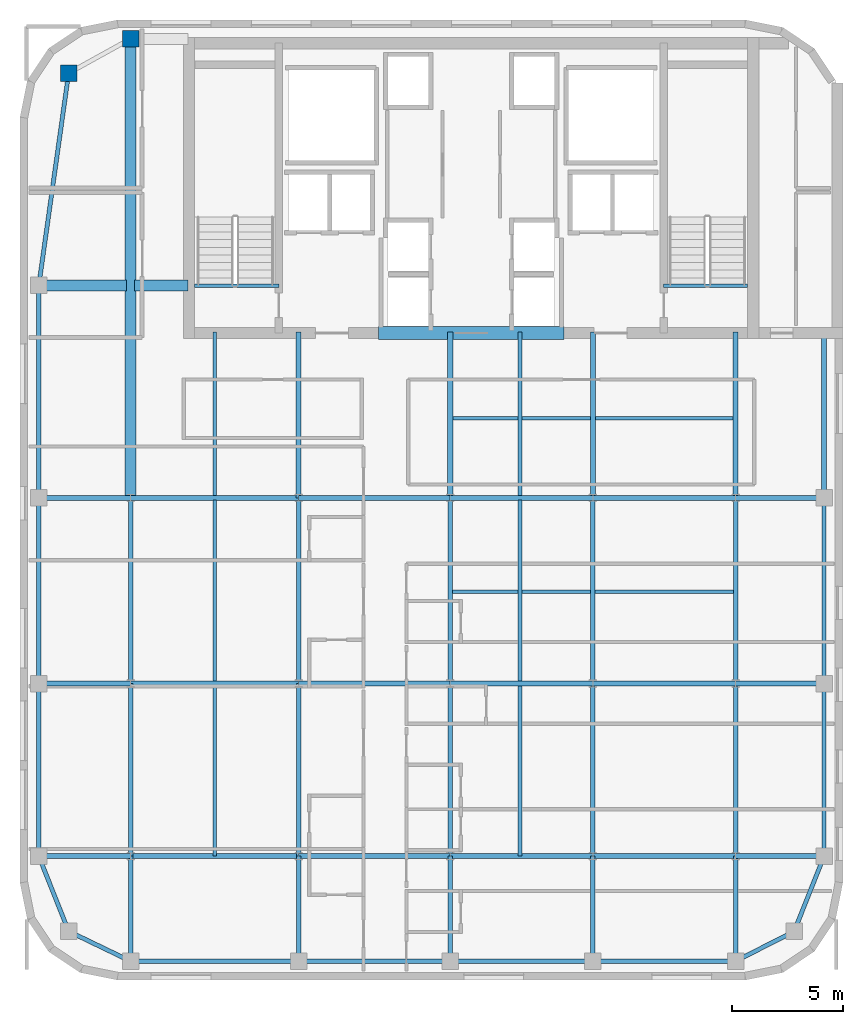
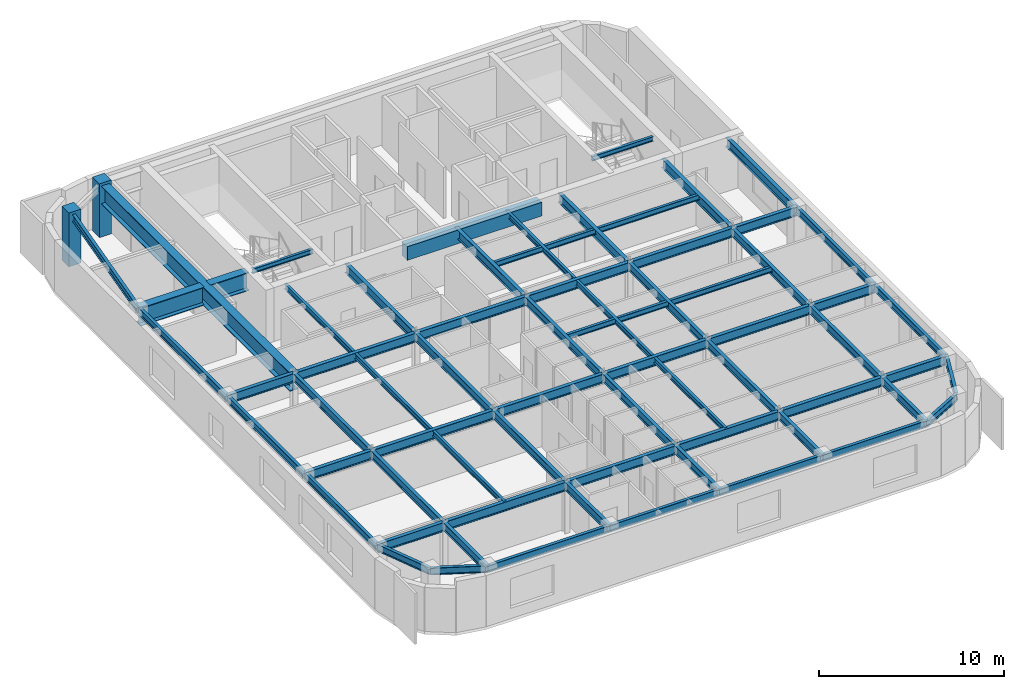
# One storey, part 2 of 9: 66 beams, 2 columns.
"""IFC4 building model written with IfcOpenShell, lengths in metres."""

from ifc_helpers import new_model, si_unit, direction, frame, origin, origin_2d, place, context, subcontext, project, spatial, rectangle, i_section, extrude, source, transform, mapped, material, material_profile, profile_set, type_object, type_shapes, element, save


model = new_model("IFC4")

# Units and contexts
model_context = context("Model", 3, precision=1e-05, world=origin(), true_north=direction((0.0, 1.0)))
body_context = subcontext(model_context, "Body", "Model", "MODEL_VIEW")
ifc_project = project(units=[si_unit("LENGTHUNIT", "METRE"), si_unit("AREAUNIT", "SQUARE_METRE"), si_unit("VOLUMEUNIT", "CUBIC_METRE"), si_unit("PLANEANGLEUNIT", "RADIAN"), si_unit("MASSUNIT", "GRAM", prefix="KILO")], contexts=[model_context])

# Site, building, storey
site_placement = place(None, origin())
site = spatial("IfcSite", under=ifc_project, at=site_placement, CompositionType="ELEMENT")
building_placement = place(site_placement, origin())
building = spatial("IfcBuilding", under=site, at=building_placement, Name="Tolvann Quenvar Hotel", CompositionType="ELEMENT")
storey_placement = place(building_placement, frame((0.0, 0.0, 216.800048828125)))
storey = spatial("IfcBuildingStorey", under=building, at=storey_placement, Name="L57", CompositionType="ELEMENT", Elevation=216.800048828125)

# Columns
ifc_material_1 = material(Name="Concrete N50 (50 MPa)", Category="concrete")
ifc_material_profile_1 = material_profile(ifc_material_1, rectangle(XDim=0.75, YDim=0.75, at=origin_2d()), Name="RC750x750")
ifc_profile_set_1 = profile_set([ifc_material_profile_1], Name="Concrete N50 (50 MPa)")
column_type = type_object("IfcColumnType", Name="COL_RC750", PredefinedType="COLUMN", material=ifc_profile_set_1)
shared_shape_1 = source(origin(), body_context, "Body", "SweptSolid", [
    extrude(rectangle(XDim=0.75, YDim=0.75, at=origin_2d()), origin(), (0.0, 0.0, 1.0), 3.550048828125),
])
type_shapes(column_type, [shared_shape_1])
for number, where, z_axis, x_axis, name in (
    (1, (4.800048828125, 43.60009765625, 0.0), (0.0, 0.0, 1.0), (1.0, 0.0, 0.0), "Column BN (L57)"),
    (2, (7.60009765625, 45.14990234375, 0.0), (0.0, 0.0, 1.0), (1.0, 0.0, 0.0), "Column CN (L57)"),
):
    element("IfcColumn", number, at=place(storey_placement, frame(where, z_axis=z_axis, x_axis=x_axis)), inside=storey, type_object=column_type, Name=name, PredefinedType="COLUMN", context=body_context, shape_type="MappedRepresentation", body=[
        mapped(shared_shape_1, transform((0.0, 0.0, 0.0), x_axis=(1.0, 0.0, 0.0), y_axis=(0.0, 1.0, 0.0), z_axis=(0.0, 0.0, 1.0), scale=1.0)),
    ])

# Beams
ifc_material_profile_2 = material_profile(ifc_material_1, rectangle(XDim=0.60009765625, YDim=0.89990234375, at=origin_2d()), Name="RC600x900")
ifc_profile_set_2 = profile_set([ifc_material_profile_2], Name="Concrete N50 (50 MPa)")
beam_type_1 = type_object("IfcBeamType", Name="BM_LINT_RC600x900", PredefinedType="LINTEL", material=ifc_profile_set_2)
shared_shape_2 = source(origin(), body_context, "Body", "SweptSolid", [
    extrude(rectangle(XDim=0.60009765625, YDim=0.89990234375, at=origin_2d()), origin(), (0.0, 0.0, 1.0), 8.39990234375),
])
type_shapes(beam_type_1, [shared_shape_2])
beam_1_placement = place(storey_placement, frame((18.800048828125, 31.85009765625, 2.919921875), z_axis=(1.0, 0.0, 0.0), x_axis=(0.0, 1.0, 0.0)))
element("IfcBeam", 3, at=beam_1_placement, inside=storey, type_object=beam_type_1, Name="Core Coupling Lintel Beam (L57)", PredefinedType="LINTEL", context=body_context, shape_type="MappedRepresentation", body=[
    mapped(shared_shape_2, transform((0.0, 0.0, 0.0), x_axis=(1.0, 0.0, 0.0), y_axis=(0.0, 1.0, 0.0), z_axis=(0.0, 0.0, 1.0), scale=1.0)),
])
ifc_material_2 = material(Name="Steel Grade 350", Category="steel")
ifc_material_profile_3 = material_profile(ifc_material_2, i_section(OverallWidth=0.208984375, OverallDepth=0.532958984375, WebThickness=0.01025390625, FlangeThickness=0.015625, FilletRadius=0.013916015625, at=origin_2d()), Name="530UB92")
ifc_profile_set_3 = profile_set([ifc_material_profile_3], Name="Steel Grade 350")
beam_type_2 = type_object("IfcBeamType", Name="BM_GIRD_530UB92", PredefinedType="BEAM", material=ifc_profile_set_3)
shared_shape_3 = source(origin(), body_context, "Body", "SweptSolid", [
    extrude(i_section(OverallWidth=0.208984375, OverallDepth=0.532958984375, WebThickness=0.01025390625, FlangeThickness=0.015625, FilletRadius=0.013916015625, at=origin_2d()), origin(), (0.0, 0.0, 1.0), 7.800048828125),
])
for number, where, z_axis, x_axis, name in (
    (4, (7.60009765625, 8.199951171875, 3.103515625), (0.0, 1.0, 0.0), (-1.0, 0.0, 0.0), "BM-L57-NS-C3-C4"),
    (5, (15.199951171875, 8.199951171875, 3.103515625), (0.0, 1.0, 0.0), (-1.0, 0.0, 0.0), "BM-L57-NS-D3-D4"),
    (6, (22.050048828125, 8.199951171875, 3.103515625), (0.0, 1.0, 0.0), (-1.0, 0.0, 0.0), "BM-L57-NS-E3-E4"),
    (7, (34.949951171875, 8.199951171875, 3.103515625), (0.0, 1.0, 0.0), (-1.0, 0.0, 0.0), "BM-L57-NS-F3-F4"),
    (8, (28.5, 8.199951171875, 3.103515625), (0.0, 1.0, 0.0), (-1.0, 0.0, 0.0), "BM-L57-NS-M3-M4"),
):
    element("IfcBeam", number, at=place(storey_placement, frame(where, z_axis=z_axis, x_axis=x_axis)), inside=storey, type_object=beam_type_2, Name=name, PredefinedType="BEAM", context=body_context, shape_type="MappedRepresentation", body=[
        mapped(shared_shape_3, transform((0.0, 0.0, 0.0), x_axis=(1.0, 0.0, 0.0), y_axis=(0.0, 1.0, 0.0), z_axis=(0.0, 0.0, 1.0), scale=1.0)),
    ])
shared_shape_4 = source(origin(), body_context, "Body", "SweptSolid", [
    extrude(i_section(OverallWidth=0.208984375, OverallDepth=0.532958984375, WebThickness=0.01025390625, FlangeThickness=0.015625, FilletRadius=0.013916015625, at=origin_2d()), origin(), (0.0, 0.0, 1.0), 8.39990234375),
])
for number, where, z_axis, x_axis, name in (
    (9, (7.60009765625, 16.0, 3.103515625), (0.0, 1.0, 0.0), (-1.0, 0.0, 0.0), "BM-L57-NS-C4-C5"),
    (10, (15.199951171875, 16.0, 3.103515625), (0.0, 1.0, 0.0), (-1.0, 0.0, 0.0), "BM-L57-NS-D4-D5"),
    (11, (22.050048828125, 16.0, 3.103515625), (0.0, 1.0, 0.0), (-1.0, 0.0, 0.0), "BM-L57-NS-E4-E5"),
    (12, (34.949951171875, 16.0, 3.103515625), (0.0, 1.0, 0.0), (-1.0, 0.0, 0.0), "BM-L57-NS-F4-F5"),
    (13, (28.5, 16.0, 3.103515625), (0.0, 1.0, 0.0), (-1.0, 0.0, 0.0), "BM-L57-NS-M4-M5"),
):
    element("IfcBeam", number, at=place(storey_placement, frame(where, z_axis=z_axis, x_axis=x_axis)), inside=storey, type_object=beam_type_2, Name=name, PredefinedType="BEAM", context=body_context, shape_type="MappedRepresentation", body=[
        mapped(shared_shape_4, transform((0.0, 0.0, 0.0), x_axis=(1.0, 0.0, 0.0), y_axis=(0.0, 1.0, 0.0), z_axis=(0.0, 0.0, 1.0), scale=1.0)),
    ])
ifc_material_profile_4 = material_profile(ifc_material_2, i_section(OverallWidth=0.5, OverallDepth=1.199951171875, WebThickness=0.01611328125, FlangeThickness=0.0400390625, at=origin_2d()), Name="1200WB455")
ifc_profile_set_4 = profile_set([ifc_material_profile_4], Name="Steel Grade 350")
beam_type_3 = type_object("IfcBeamType", Name="BM_TG_1200WB455", PredefinedType="USERDEFINED", material=ifc_profile_set_4)
shared_shape_5 = source(origin(), body_context, "Body", "SweptSolid", [
    extrude(i_section(OverallWidth=0.5, OverallDepth=1.199951171875, WebThickness=0.01611328125, FlangeThickness=0.0400390625, at=origin_2d()), origin(), (0.0, 0.0, 1.0), 20.75),
])
beam_2_placement = place(storey_placement, frame((7.60009765625, 24.39990234375, 2.77001953125), z_axis=(0.0, 1.0, 0.0), x_axis=(-1.0, 0.0, 0.0)))
element("IfcBeam", 14, at=beam_2_placement, inside=storey, type_object=beam_type_3, Name="BM-L57-FLK-WC", ObjectType="TRANSFER GIRDER", PredefinedType="USERDEFINED", context=body_context, shape_type="MappedRepresentation", body=[
    mapped(shared_shape_5, transform((0.0, 0.0, 0.0), x_axis=(1.0, 0.0, 0.0), y_axis=(0.0, 1.0, 0.0), z_axis=(0.0, 0.0, 1.0), scale=1.0)),
])
shared_shape_6 = source(origin(), body_context, "Body", "SweptSolid", [
    extrude(i_section(OverallWidth=0.5, OverallDepth=1.199951171875, WebThickness=0.01611328125, FlangeThickness=0.0400390625, at=origin_2d()), origin(), (0.0, 0.0, 1.0), 2.419921875),
])
beam_3_placement = place(storey_placement, frame((7.780029296875, 34.0, 2.77001953125), z_axis=(1.0, 0.0, 0.0), x_axis=(0.0, 1.0, 0.0)))
element("IfcBeam", 15, at=beam_3_placement, inside=storey, type_object=beam_type_3, Name="BM-L57-CTW-MID2", ObjectType="TRANSFER GIRDER", PredefinedType="USERDEFINED", context=body_context, shape_type="MappedRepresentation", body=[
    mapped(shared_shape_6, transform((0.0, 0.0, 0.0), x_axis=(1.0, 0.0, 0.0), y_axis=(0.0, 1.0, 0.0), z_axis=(0.0, 0.0, 1.0), scale=1.0)),
])
ifc_material_profile_5 = material_profile(ifc_material_2, i_section(OverallWidth=0.166015625, OverallDepth=0.306884765625, WebThickness=0.006591796875, FlangeThickness=0.01171875, FilletRadius=0.011474609375, at=origin_2d()), Name="310UB46")
ifc_profile_set_5 = profile_set([ifc_material_profile_5], Name="Steel Grade 350")
beam_type_4 = type_object("IfcBeamType", Name="BM_JOIST_310UB46", PredefinedType="JOIST", material=ifc_profile_set_5)
shared_shape_7 = source(origin(), body_context, "Body", "SweptSolid", [
    extrude(i_section(OverallWidth=0.166015625, OverallDepth=0.306884765625, WebThickness=0.006591796875, FlangeThickness=0.01171875, FilletRadius=0.011474609375, at=origin_2d()), origin(), (0.0, 0.0, 1.0), 3.800048828125),
])
type_shapes(beam_type_4, [shared_shape_7])
for number, where, z_axis, x_axis, name in (
    (16, (10.5, 33.97998046875, 3.216552734375), (1.0, 0.0, 0.0), (0.0, 1.0, 0.0), "BM-HDR-STC1-L58"),
    (17, (31.699951171875, 33.97998046875, 3.216552734375), (1.0, 0.0, 0.0), (0.0, 1.0, 0.0), "BM-HDR-STC2-L58"),
):
    element("IfcBeam", number, at=place(storey_placement, frame(where, z_axis=z_axis, x_axis=x_axis)), inside=storey, type_object=beam_type_4, Name=name, PredefinedType="JOIST", context=body_context, shape_type="MappedRepresentation", body=[
        mapped(shared_shape_7, transform((0.0, 0.0, 0.0), x_axis=(1.0, 0.0, 0.0), y_axis=(0.0, 1.0, 0.0), z_axis=(0.0, 0.0, 1.0), scale=1.0)),
    ])
shared_shape_8 = source(origin(), body_context, "Body", "SweptSolid", [
    extrude(i_section(OverallWidth=0.5, OverallDepth=1.199951171875, WebThickness=0.01611328125, FlangeThickness=0.0400390625, at=origin_2d()), origin(), (0.0, 0.0, 1.0), 3.969970703125),
])
type_shapes(beam_type_3, [shared_shape_5, shared_shape_6, shared_shape_8])
beam_4_placement = place(storey_placement, frame((3.449951171875, 34.0, 2.77001953125), z_axis=(1.0, 0.0, 0.0), x_axis=(0.0, 1.0, 0.0)))
element("IfcBeam", 18, at=beam_4_placement, inside=storey, type_object=beam_type_3, Name="BM-L57-CTW-MID1", ObjectType="TRANSFER GIRDER", PredefinedType="USERDEFINED", context=body_context, shape_type="MappedRepresentation", body=[
    mapped(shared_shape_8, transform((0.0, 0.0, 0.0), x_axis=(1.0, 0.0, 0.0), y_axis=(0.0, 1.0, 0.0), z_axis=(0.0, 0.0, 1.0), scale=1.0)),
])
ifc_material_profile_6 = material_profile(ifc_material_2, i_section(OverallWidth=0.172119140625, OverallDepth=0.35888671875, WebThickness=0.008056640625, FlangeThickness=0.012939453125, FilletRadius=0.011474609375, at=origin_2d()), Name="360UB57")
ifc_profile_set_6 = profile_set([ifc_material_profile_6], Name="Steel Grade 350")
beam_type_5 = type_object("IfcBeamType", Name="BM_JOIST_360UB57", PredefinedType="JOIST", material=ifc_profile_set_6)
shared_shape_9 = source(origin(), body_context, "Body", "SweptSolid", [
    extrude(i_section(OverallWidth=0.172119140625, OverallDepth=0.35888671875, WebThickness=0.008056640625, FlangeThickness=0.012939453125, FilletRadius=0.011474609375, at=origin_2d()), origin(), (0.0, 0.0, 1.0), 12.89990234375),
])
for number, where, z_axis, x_axis, name in (
    (19, (22.050048828125, 20.14990234375, 3.1904296875), (1.0, 0.0, 0.0), (0.0, 1.0, 0.0), "BM-L57-SPINE-20"),
    (20, (22.050048828125, 28.0, 3.1904296875), (1.0, 0.0, 0.0), (0.0, 1.0, 0.0), "BM-L57-SPINE-28"),
):
    element("IfcBeam", number, at=place(storey_placement, frame(where, z_axis=z_axis, x_axis=x_axis)), inside=storey, type_object=beam_type_5, Name=name, PredefinedType="JOIST", context=body_context, shape_type="MappedRepresentation", body=[
        mapped(shared_shape_9, transform((0.0, 0.0, 0.0), x_axis=(1.0, 0.0, 0.0), y_axis=(0.0, 1.0, 0.0), z_axis=(0.0, 0.0, 1.0), scale=1.0)),
    ])
ifc_material_profile_7 = material_profile(ifc_material_2, i_section(OverallWidth=0.22802734375, OverallDepth=0.60205078125, WebThickness=0.010498046875, FlangeThickness=0.014892578125, FilletRadius=0.013916015625, at=origin_2d()), Name="610UB101")
ifc_profile_set_7 = profile_set([ifc_material_profile_7], Name="Steel Grade 350")
beam_type_6 = type_object("IfcBeamType", Name="BM_GIRD_610UB101", PredefinedType="BEAM", material=ifc_profile_set_7)
shared_shape_10 = source(origin(), body_context, "Body", "SweptSolid", [
    extrude(i_section(OverallWidth=0.22802734375, OverallDepth=0.60205078125, WebThickness=0.010498046875, FlangeThickness=0.014892578125, FilletRadius=0.013916015625, at=origin_2d()), origin(), (0.0, 0.0, 1.0), 4.150146484375),
])
for number, where, z_axis, x_axis, name in (
    (21, (3.449951171875, 8.199951171875, 3.06884765625), (1.0, 0.0, 0.0), (0.0, 1.0, 0.0), "BM-L57-EW-3-B3-C3"),
    (22, (3.449951171875, 16.0, 3.06884765625), (1.0, 0.0, 0.0), (0.0, 1.0, 0.0), "BM-L57-EW-4-B4-C4"),
    (23, (3.449951171875, 24.39990234375, 3.06884765625), (1.0, 0.0, 0.0), (0.0, 1.0, 0.0), "BM-L57-EW-5-B5-C5"),
):
    element("IfcBeam", number, at=place(storey_placement, frame(where, z_axis=z_axis, x_axis=x_axis)), inside=storey, type_object=beam_type_6, Name=name, PredefinedType="BEAM", context=body_context, shape_type="MappedRepresentation", body=[
        mapped(shared_shape_10, transform((0.0, 0.0, 0.0), x_axis=(1.0, 0.0, 0.0), y_axis=(0.0, 1.0, 0.0), z_axis=(0.0, 0.0, 1.0), scale=1.0)),
    ])
shared_shape_11 = source(origin(), body_context, "Body", "SweptSolid", [
    extrude(i_section(OverallWidth=0.22802734375, OverallDepth=0.60205078125, WebThickness=0.010498046875, FlangeThickness=0.014892578125, FilletRadius=0.013916015625, at=origin_2d()), origin(), (0.0, 0.0, 1.0), 7.599853515625),
])
for number, where, z_axis, x_axis, name in (
    (24, (7.60009765625, 8.199951171875, 3.06884765625), (1.0, 0.0, 0.0), (0.0, 1.0, 0.0), "BM-L57-EW-3-C3-D3"),
    (25, (7.60009765625, 16.0, 3.06884765625), (1.0, 0.0, 0.0), (0.0, 1.0, 0.0), "BM-L57-EW-4-C4-D4"),
    (26, (7.60009765625, 24.39990234375, 3.06884765625), (1.0, 0.0, 0.0), (0.0, 1.0, 0.0), "BM-L57-EW-5-C5-D5"),
):
    element("IfcBeam", number, at=place(storey_placement, frame(where, z_axis=z_axis, x_axis=x_axis)), inside=storey, type_object=beam_type_6, Name=name, PredefinedType="BEAM", context=body_context, shape_type="MappedRepresentation", body=[
        mapped(shared_shape_11, transform((0.0, 0.0, 0.0), x_axis=(1.0, 0.0, 0.0), y_axis=(0.0, 1.0, 0.0), z_axis=(0.0, 0.0, 1.0), scale=1.0)),
    ])
shared_shape_12 = source(origin(), body_context, "Body", "SweptSolid", [
    extrude(i_section(OverallWidth=0.22802734375, OverallDepth=0.60205078125, WebThickness=0.010498046875, FlangeThickness=0.014892578125, FilletRadius=0.013916015625, at=origin_2d()), origin(), (0.0, 0.0, 1.0), 6.85009765625),
])
for number, where, z_axis, x_axis, name in (
    (27, (15.199951171875, 8.199951171875, 3.06884765625), (1.0, 0.0, 0.0), (0.0, 1.0, 0.0), "BM-L57-EW-3-D3-E3"),
    (28, (15.199951171875, 16.0, 3.06884765625), (1.0, 0.0, 0.0), (0.0, 1.0, 0.0), "BM-L57-EW-4-D4-E4"),
    (29, (15.199951171875, 24.39990234375, 3.06884765625), (1.0, 0.0, 0.0), (0.0, 1.0, 0.0), "BM-L57-EW-5-D5-E5"),
):
    element("IfcBeam", number, at=place(storey_placement, frame(where, z_axis=z_axis, x_axis=x_axis)), inside=storey, type_object=beam_type_6, Name=name, PredefinedType="BEAM", context=body_context, shape_type="MappedRepresentation", body=[
        mapped(shared_shape_12, transform((0.0, 0.0, 0.0), x_axis=(1.0, 0.0, 0.0), y_axis=(0.0, 1.0, 0.0), z_axis=(0.0, 0.0, 1.0), scale=1.0)),
    ])
shared_shape_13 = source(origin(), body_context, "Body", "SweptSolid", [
    extrude(i_section(OverallWidth=0.22802734375, OverallDepth=0.60205078125, WebThickness=0.010498046875, FlangeThickness=0.014892578125, FilletRadius=0.013916015625, at=origin_2d()), origin(), (0.0, 0.0, 1.0), 6.449951171875),
])
for number, where, z_axis, x_axis, name in (
    (30, (22.050048828125, 8.199951171875, 3.06884765625), (1.0, 0.0, 0.0), (0.0, 1.0, 0.0), "BM-L57-EW-3-E3-M3"),
    (31, (28.5, 8.199951171875, 3.06884765625), (1.0, 0.0, 0.0), (0.0, 1.0, 0.0), "BM-L57-EW-3-M3-F3"),
    (32, (22.050048828125, 16.0, 3.06884765625), (1.0, 0.0, 0.0), (0.0, 1.0, 0.0), "BM-L57-EW-4-E4-M4"),
    (33, (28.5, 16.0, 3.06884765625), (1.0, 0.0, 0.0), (0.0, 1.0, 0.0), "BM-L57-EW-4-M4-F4"),
    (34, (22.050048828125, 24.39990234375, 3.06884765625), (1.0, 0.0, 0.0), (0.0, 1.0, 0.0), "BM-L57-EW-5-E5-M5"),
    (35, (28.5, 24.39990234375, 3.06884765625), (1.0, 0.0, 0.0), (0.0, 1.0, 0.0), "BM-L57-EW-5-M5-F5"),
):
    element("IfcBeam", number, at=place(storey_placement, frame(where, z_axis=z_axis, x_axis=x_axis)), inside=storey, type_object=beam_type_6, Name=name, PredefinedType="BEAM", context=body_context, shape_type="MappedRepresentation", body=[
        mapped(shared_shape_13, transform((0.0, 0.0, 0.0), x_axis=(1.0, 0.0, 0.0), y_axis=(0.0, 1.0, 0.0), z_axis=(0.0, 0.0, 1.0), scale=1.0)),
    ])
shared_shape_14 = source(origin(), body_context, "Body", "SweptSolid", [
    extrude(i_section(OverallWidth=0.208984375, OverallDepth=0.532958984375, WebThickness=0.01025390625, FlangeThickness=0.015625, FilletRadius=0.013916015625, at=origin_2d()), origin(), (0.0, 0.0, 1.0), 4.75),
])
type_shapes(beam_type_2, [shared_shape_3, shared_shape_4, shared_shape_14])
for number, where, z_axis, x_axis, name in (
    (36, (7.60009765625, 3.449951171875, 3.103515625), (0.0, 1.0, 0.0), (-1.0, 0.0, 0.0), "BM-L57-NS-C2-C3"),
    (37, (15.199951171875, 3.449951171875, 3.103515625), (0.0, 1.0, 0.0), (-1.0, 0.0, 0.0), "BM-L57-NS-D2-D3"),
    (38, (22.050048828125, 3.449951171875, 3.103515625), (0.0, 1.0, 0.0), (-1.0, 0.0, 0.0), "BM-L57-NS-E2-E3"),
    (39, (34.949951171875, 3.449951171875, 3.103515625), (0.0, 1.0, 0.0), (-1.0, 0.0, 0.0), "BM-L57-NS-F2-F3"),
    (40, (28.5, 3.449951171875, 3.103515625), (0.0, 1.0, 0.0), (-1.0, 0.0, 0.0), "BM-L57-NS-M2-M3"),
):
    element("IfcBeam", number, at=place(storey_placement, frame(where, z_axis=z_axis, x_axis=x_axis)), inside=storey, type_object=beam_type_2, Name=name, PredefinedType="BEAM", context=body_context, shape_type="MappedRepresentation", body=[
        mapped(shared_shape_14, transform((0.0, 0.0, 0.0), x_axis=(1.0, 0.0, 0.0), y_axis=(0.0, 1.0, 0.0), z_axis=(0.0, 0.0, 1.0), scale=1.0)),
    ])
shared_shape_15 = source(origin(), body_context, "Body", "SweptSolid", [
    extrude(i_section(OverallWidth=0.22802734375, OverallDepth=0.60205078125, WebThickness=0.010498046875, FlangeThickness=0.014892578125, FilletRadius=0.013916015625, at=origin_2d()), origin(), (0.0, 0.0, 1.0), 7.5),
])
for number, where, z_axis, x_axis, name in (
    (41, (15.199951171875, 24.39990234375, 3.06884765625), (0.0, 1.0, 0.0), (-1.0, 0.0, 0.0), "BM-L57-CORE-D5"),
    (42, (22.050048828125, 24.39990234375, 3.06884765625), (0.0, 1.0, 0.0), (-1.0, 0.0, 0.0), "BM-L57-CORE-E5"),
    (43, (34.949951171875, 24.39990234375, 3.06884765625), (0.0, 1.0, 0.0), (-1.0, 0.0, 0.0), "BM-L57-CORE-F5"),
    (44, (38.949951171875, 24.39990234375, 3.06884765625), (0.0, 1.0, 0.0), (-1.0, 0.0, 0.0), "BM-L57-CORE-G5"),
    (45, (28.5, 24.39990234375, 3.06884765625), (0.0, 1.0, 0.0), (-1.0, 0.0, 0.0), "BM-L57-CORE-M5"),
):
    element("IfcBeam", number, at=place(storey_placement, frame(where, z_axis=z_axis, x_axis=x_axis)), inside=storey, type_object=beam_type_6, Name=name, PredefinedType="BEAM", context=body_context, shape_type="MappedRepresentation", body=[
        mapped(shared_shape_15, transform((0.0, 0.0, 0.0), x_axis=(1.0, 0.0, 0.0), y_axis=(0.0, 1.0, 0.0), z_axis=(0.0, 0.0, 1.0), scale=1.0)),
    ])
shared_shape_16 = source(origin(), body_context, "Body", "SweptSolid", [
    extrude(i_section(OverallWidth=0.172119140625, OverallDepth=0.35888671875, WebThickness=0.008056640625, FlangeThickness=0.012939453125, FilletRadius=0.011474609375, at=origin_2d()), origin(), (0.0, 0.0, 1.0), 7.692138671875),
])
for number, where, z_axis, x_axis, name in (
    (46, (11.39990234375, 8.199951171875, 3.1904296875), (0.0, 1.0, 0.0), (-1.0, 0.0, 0.0), "BJ-L57-114-82"),
    (47, (25.199951171875, 8.199951171875, 3.1904296875), (0.0, 1.0, 0.0), (-1.0, 0.0, 0.0), "BJ-L57-252-82"),
):
    element("IfcBeam", number, at=place(storey_placement, frame(where, z_axis=z_axis, x_axis=x_axis)), inside=storey, type_object=beam_type_5, Name=name, PredefinedType="JOIST", context=body_context, shape_type="MappedRepresentation", body=[
        mapped(shared_shape_16, transform((0.0, 0.0, 0.0), x_axis=(1.0, 0.0, 0.0), y_axis=(0.0, 1.0, 0.0), z_axis=(0.0, 0.0, 1.0), scale=1.0)),
    ])
shared_shape_17 = source(origin(), body_context, "Body", "SweptSolid", [
    extrude(i_section(OverallWidth=0.172119140625, OverallDepth=0.35888671875, WebThickness=0.008056640625, FlangeThickness=0.012939453125, FilletRadius=0.011474609375, at=origin_2d()), origin(), (0.0, 0.0, 1.0), 8.18408203125),
])
for number, where, z_axis, x_axis, name in (
    (48, (11.39990234375, 16.10791015625, 3.1904296875), (0.0, 1.0, 0.0), (-1.0, 0.0, 0.0), "BJ-L57-114-160"),
    (49, (25.199951171875, 16.10791015625, 3.1904296875), (0.0, 1.0, 0.0), (-1.0, 0.0, 0.0), "BJ-L57-252-160"),
):
    element("IfcBeam", number, at=place(storey_placement, frame(where, z_axis=z_axis, x_axis=x_axis)), inside=storey, type_object=beam_type_5, Name=name, PredefinedType="JOIST", context=body_context, shape_type="MappedRepresentation", body=[
        mapped(shared_shape_17, transform((0.0, 0.0, 0.0), x_axis=(1.0, 0.0, 0.0), y_axis=(0.0, 1.0, 0.0), z_axis=(0.0, 0.0, 1.0), scale=1.0)),
    ])
shared_shape_18 = source(origin(), body_context, "Body", "SweptSolid", [
    extrude(i_section(OverallWidth=0.172119140625, OverallDepth=0.35888671875, WebThickness=0.008056640625, FlangeThickness=0.012939453125, FilletRadius=0.011474609375, at=origin_2d()), origin(), (0.0, 0.0, 1.0), 7.391845703125),
])
type_shapes(beam_type_5, [shared_shape_9, shared_shape_16, shared_shape_17, shared_shape_18])
for number, where, z_axis, x_axis, name in (
    (50, (11.39990234375, 24.508056640625, 3.1904296875), (0.0, 1.0, 0.0), (-1.0, 0.0, 0.0), "BJ-L57-114-244"),
    (51, (25.199951171875, 24.508056640625, 3.1904296875), (0.0, 1.0, 0.0), (-1.0, 0.0, 0.0), "BJ-L57-252-244"),
):
    element("IfcBeam", number, at=place(storey_placement, frame(where, z_axis=z_axis, x_axis=x_axis)), inside=storey, type_object=beam_type_5, Name=name, PredefinedType="JOIST", context=body_context, shape_type="MappedRepresentation", body=[
        mapped(shared_shape_18, transform((0.0, 0.0, 0.0), x_axis=(1.0, 0.0, 0.0), y_axis=(0.0, 1.0, 0.0), z_axis=(0.0, 0.0, 1.0), scale=1.0)),
    ])
ifc_material_profile_8 = material_profile(ifc_material_2, i_section(OverallWidth=0.19091796875, OverallDepth=0.4599609375, WebThickness=0.010009765625, FlangeThickness=0.01611328125, FilletRadius=0.011474609375, at=origin_2d()), Name="460UB82")
ifc_profile_set_8 = profile_set([ifc_material_profile_8], Name="Steel Grade 350")
beam_type_7 = type_object("IfcBeamType", Name="BM_SPAND_460UB82", PredefinedType="SPANDREL", material=ifc_profile_set_8)
shared_shape_19 = source(origin(), body_context, "Body", "SweptSolid", [
    extrude(i_section(OverallWidth=0.19091796875, OverallDepth=0.4599609375, WebThickness=0.010009765625, FlangeThickness=0.01611328125, FilletRadius=0.011474609375, at=origin_2d()), origin(), (0.0, 0.0, 1.0), 3.108642578125),
])
beam_5_placement = place(storey_placement, frame((4.800048828125, 4.800048828125, 3.139892578125), z_axis=(0.900759354066, -0.434318530646, 0.0), x_axis=(0.434318530646, 0.900759354066, 0.0)))
element("IfcBeam", 52, at=beam_5_placement, inside=storey, type_object=beam_type_7, Name="BM-L57-EW-2-B2-C2", PredefinedType="SPANDREL", context=body_context, shape_type="MappedRepresentation", body=[
    mapped(shared_shape_19, transform((0.0, 0.0, 0.0), x_axis=(1.0, 0.0, 0.0), y_axis=(0.0, 1.0, 0.0), z_axis=(0.0, 0.0, 1.0), scale=1.0)),
])
shared_shape_20 = source(origin(), body_context, "Body", "SweptSolid", [
    extrude(i_section(OverallWidth=0.19091796875, OverallDepth=0.4599609375, WebThickness=0.010009765625, FlangeThickness=0.01611328125, FilletRadius=0.011474609375, at=origin_2d()), origin(), (0.0, 0.0, 1.0), 7.599853515625),
])
beam_6_placement = place(storey_placement, frame((7.60009765625, 3.449951171875, 3.139892578125), z_axis=(1.0, 0.0, 0.0), x_axis=(0.0, 1.0, 0.0)))
element("IfcBeam", 53, at=beam_6_placement, inside=storey, type_object=beam_type_7, Name="BM-L57-EW-2-C2-D2", PredefinedType="SPANDREL", context=body_context, shape_type="MappedRepresentation", body=[
    mapped(shared_shape_20, transform((0.0, 0.0, 0.0), x_axis=(1.0, 0.0, 0.0), y_axis=(0.0, 1.0, 0.0), z_axis=(0.0, 0.0, 1.0), scale=1.0)),
])
shared_shape_21 = source(origin(), body_context, "Body", "SweptSolid", [
    extrude(i_section(OverallWidth=0.19091796875, OverallDepth=0.4599609375, WebThickness=0.010009765625, FlangeThickness=0.01611328125, FilletRadius=0.011474609375, at=origin_2d()), origin(), (0.0, 0.0, 1.0), 6.85009765625),
])
beam_7_placement = place(storey_placement, frame((15.199951171875, 3.449951171875, 3.139892578125), z_axis=(1.0, 0.0, 0.0), x_axis=(0.0, 1.0, 0.0)))
element("IfcBeam", 54, at=beam_7_placement, inside=storey, type_object=beam_type_7, Name="BM-L57-EW-2-D2-E2", PredefinedType="SPANDREL", context=body_context, shape_type="MappedRepresentation", body=[
    mapped(shared_shape_21, transform((0.0, 0.0, 0.0), x_axis=(1.0, 0.0, 0.0), y_axis=(0.0, 1.0, 0.0), z_axis=(0.0, 0.0, 1.0), scale=1.0)),
])
shared_shape_22 = source(origin(), body_context, "Body", "SweptSolid", [
    extrude(i_section(OverallWidth=0.19091796875, OverallDepth=0.4599609375, WebThickness=0.010009765625, FlangeThickness=0.01611328125, FilletRadius=0.011474609375, at=origin_2d()), origin(), (0.0, 0.0, 1.0), 6.449951171875),
])
for number, where, z_axis, x_axis, name in (
    (55, (22.050048828125, 3.449951171875, 3.139892578125), (1.0, 0.0, 0.0), (0.0, 1.0, 0.0), "BM-L57-EW-2-E2-M2"),
    (56, (28.5, 3.449951171875, 3.139892578125), (1.0, 0.0, 0.0), (0.0, 1.0, 0.0), "BM-L57-EW-2-M2-F2"),
):
    element("IfcBeam", number, at=place(storey_placement, frame(where, z_axis=z_axis, x_axis=x_axis)), inside=storey, type_object=beam_type_7, Name=name, PredefinedType="SPANDREL", context=body_context, shape_type="MappedRepresentation", body=[
        mapped(shared_shape_22, transform((0.0, 0.0, 0.0), x_axis=(1.0, 0.0, 0.0), y_axis=(0.0, 1.0, 0.0), z_axis=(0.0, 0.0, 1.0), scale=1.0)),
    ])
shared_shape_23 = source(origin(), body_context, "Body", "SweptSolid", [
    extrude(i_section(OverallWidth=0.19091796875, OverallDepth=0.4599609375, WebThickness=0.010009765625, FlangeThickness=0.01611328125, FilletRadius=0.011474609375, at=origin_2d()), origin(), (0.0, 0.0, 1.0), 2.97412109375),
])
beam_8_placement = place(storey_placement, frame((34.949951171875, 3.449951171875, 3.139892578125), z_axis=(0.891036364695, 0.453931929688, 0.0), x_axis=(-0.453931929688, 0.891036364695, 0.0)))
element("IfcBeam", 57, at=beam_8_placement, inside=storey, type_object=beam_type_7, Name="BM-L57-EW-2-F2-G2", PredefinedType="SPANDREL", context=body_context, shape_type="MappedRepresentation", body=[
    mapped(shared_shape_23, transform((0.0, 0.0, 0.0), x_axis=(1.0, 0.0, 0.0), y_axis=(0.0, 1.0, 0.0), z_axis=(0.0, 0.0, 1.0), scale=1.0)),
])
shared_shape_24 = source(origin(), body_context, "Body", "SweptSolid", [
    extrude(i_section(OverallWidth=0.22802734375, OverallDepth=0.60205078125, WebThickness=0.010498046875, FlangeThickness=0.014892578125, FilletRadius=0.013916015625, at=origin_2d()), origin(), (0.0, 0.0, 1.0), 4.0),
])
type_shapes(beam_type_6, [shared_shape_10, shared_shape_11, shared_shape_12, shared_shape_13, shared_shape_15, shared_shape_24])
for number, where, z_axis, x_axis, name in (
    (58, (34.949951171875, 8.199951171875, 3.06884765625), (1.0, 0.0, 0.0), (0.0, 1.0, 0.0), "BM-L57-EW-3-F3-G3"),
    (59, (34.949951171875, 16.0, 3.06884765625), (1.0, 0.0, 0.0), (0.0, 1.0, 0.0), "BM-L57-EW-4-F4-G4"),
    (60, (34.949951171875, 24.39990234375, 3.06884765625), (1.0, 0.0, 0.0), (0.0, 1.0, 0.0), "BM-L57-EW-5-F5-G5"),
):
    element("IfcBeam", number, at=place(storey_placement, frame(where, z_axis=z_axis, x_axis=x_axis)), inside=storey, type_object=beam_type_6, Name=name, PredefinedType="BEAM", context=body_context, shape_type="MappedRepresentation", body=[
        mapped(shared_shape_24, transform((0.0, 0.0, 0.0), x_axis=(1.0, 0.0, 0.0), y_axis=(0.0, 1.0, 0.0), z_axis=(0.0, 0.0, 1.0), scale=1.0)),
    ])
shared_shape_25 = source(origin(), body_context, "Body", "SweptSolid", [
    extrude(i_section(OverallWidth=0.19091796875, OverallDepth=0.4599609375, WebThickness=0.010009765625, FlangeThickness=0.01611328125, FilletRadius=0.011474609375, at=origin_2d()), origin(), (0.0, 0.0, 1.0), 3.658203125),
])
beam_9_placement = place(storey_placement, frame((4.800048828125, 4.800048828125, 3.139892578125), z_axis=(-0.369065163807, 0.929403521009, 0.0), x_axis=(-0.929403521009, -0.369065163807, 0.0)))
element("IfcBeam", 61, at=beam_9_placement, inside=storey, type_object=beam_type_7, Name="BM-L57-NS-B2-B3", PredefinedType="SPANDREL", context=body_context, shape_type="MappedRepresentation", body=[
    mapped(shared_shape_25, transform((0.0, 0.0, 0.0), x_axis=(1.0, 0.0, 0.0), y_axis=(0.0, 1.0, 0.0), z_axis=(0.0, 0.0, 1.0), scale=1.0)),
])
shared_shape_26 = source(origin(), body_context, "Body", "SweptSolid", [
    extrude(i_section(OverallWidth=0.19091796875, OverallDepth=0.4599609375, WebThickness=0.010009765625, FlangeThickness=0.01611328125, FilletRadius=0.011474609375, at=origin_2d()), origin(), (0.0, 0.0, 1.0), 7.800048828125),
])
for number, where, z_axis, x_axis, name in (
    (62, (3.449951171875, 8.199951171875, 3.139892578125), (0.0, 1.0, 0.0), (-1.0, 0.0, 0.0), "BM-L57-NS-B3-B4"),
    (63, (38.949951171875, 8.199951171875, 3.139892578125), (0.0, 1.0, 0.0), (-1.0, 0.0, 0.0), "BM-L57-NS-G3-G4"),
):
    element("IfcBeam", number, at=place(storey_placement, frame(where, z_axis=z_axis, x_axis=x_axis)), inside=storey, type_object=beam_type_7, Name=name, PredefinedType="SPANDREL", context=body_context, shape_type="MappedRepresentation", body=[
        mapped(shared_shape_26, transform((0.0, 0.0, 0.0), x_axis=(1.0, 0.0, 0.0), y_axis=(0.0, 1.0, 0.0), z_axis=(0.0, 0.0, 1.0), scale=1.0)),
    ])
shared_shape_27 = source(origin(), body_context, "Body", "SweptSolid", [
    extrude(i_section(OverallWidth=0.19091796875, OverallDepth=0.4599609375, WebThickness=0.010009765625, FlangeThickness=0.01611328125, FilletRadius=0.011474609375, at=origin_2d()), origin(), (0.0, 0.0, 1.0), 8.39990234375),
])
for number, where, z_axis, x_axis, name in (
    (64, (3.449951171875, 16.0, 3.139892578125), (0.0, 1.0, 0.0), (-1.0, 0.0, 0.0), "BM-L57-NS-B4-B5"),
    (65, (38.949951171875, 16.0, 3.139892578125), (0.0, 1.0, 0.0), (-1.0, 0.0, 0.0), "BM-L57-NS-G4-G5"),
):
    element("IfcBeam", number, at=place(storey_placement, frame(where, z_axis=z_axis, x_axis=x_axis)), inside=storey, type_object=beam_type_7, Name=name, PredefinedType="SPANDREL", context=body_context, shape_type="MappedRepresentation", body=[
        mapped(shared_shape_27, transform((0.0, 0.0, 0.0), x_axis=(1.0, 0.0, 0.0), y_axis=(0.0, 1.0, 0.0), z_axis=(0.0, 0.0, 1.0), scale=1.0)),
    ])
shared_shape_28 = source(origin(), body_context, "Body", "SweptSolid", [
    extrude(i_section(OverallWidth=0.19091796875, OverallDepth=0.4599609375, WebThickness=0.010009765625, FlangeThickness=0.01611328125, FilletRadius=0.011474609375, at=origin_2d()), origin(), (0.0, 0.0, 1.0), 3.657958984375),
])
beam_10_placement = place(storey_placement, frame((37.60009765625, 4.800048828125, 3.139892578125), z_axis=(0.369007513371, 0.929426411867, 0.0), x_axis=(-0.929426411867, 0.369007513371, 0.0)))
element("IfcBeam", 66, at=beam_10_placement, inside=storey, type_object=beam_type_7, Name="BM-L57-NS-G2-G3", PredefinedType="SPANDREL", context=body_context, shape_type="MappedRepresentation", body=[
    mapped(shared_shape_28, transform((0.0, 0.0, 0.0), x_axis=(1.0, 0.0, 0.0), y_axis=(0.0, 1.0, 0.0), z_axis=(0.0, 0.0, 1.0), scale=1.0)),
])
shared_shape_29 = source(origin(), body_context, "Body", "SweptSolid", [
    extrude(i_section(OverallWidth=0.19091796875, OverallDepth=0.4599609375, WebThickness=0.010009765625, FlangeThickness=0.01611328125, FilletRadius=0.011474609375, at=origin_2d()), origin(), (0.0, 0.0, 1.0), 9.60009765625),
])
beam_11_placement = place(storey_placement, frame((3.449951171875, 24.39990234375, 3.139892578125), z_axis=(0.0, 1.0, 0.0), x_axis=(-1.0, 0.0, 0.0)))
element("IfcBeam", 67, at=beam_11_placement, inside=storey, type_object=beam_type_7, Name="BM-L57-FLK-W1", PredefinedType="SPANDREL", context=body_context, shape_type="MappedRepresentation", body=[
    mapped(shared_shape_29, transform((0.0, 0.0, 0.0), x_axis=(1.0, 0.0, 0.0), y_axis=(0.0, 1.0, 0.0), z_axis=(0.0, 0.0, 1.0), scale=1.0)),
])
shared_shape_30 = source(origin(), body_context, "Body", "SweptSolid", [
    extrude(i_section(OverallWidth=0.19091796875, OverallDepth=0.4599609375, WebThickness=0.010009765625, FlangeThickness=0.01611328125, FilletRadius=0.011474609375, at=origin_2d()), origin(), (0.0, 0.0, 1.0), 9.694580078125),
])
type_shapes(beam_type_7, [shared_shape_19, shared_shape_20, shared_shape_21, shared_shape_22, shared_shape_23, shared_shape_25, shared_shape_26, shared_shape_27, shared_shape_28, shared_shape_29, shared_shape_30])
beam_12_placement = place(storey_placement, frame((3.449951171875, 34.0, 3.139892578125), z_axis=(0.139263320262, 0.990255385055, 0.0), x_axis=(-0.990255385055, 0.139263320262, 0.0)))
element("IfcBeam", 68, at=beam_12_placement, inside=storey, type_object=beam_type_7, Name="BM-L57-FLK-W2", PredefinedType="SPANDREL", context=body_context, shape_type="MappedRepresentation", body=[
    mapped(shared_shape_30, transform((0.0, 0.0, 0.0), x_axis=(1.0, 0.0, 0.0), y_axis=(0.0, 1.0, 0.0), z_axis=(0.0, 0.0, 1.0), scale=1.0)),
])

save(model, "model.ifc")
